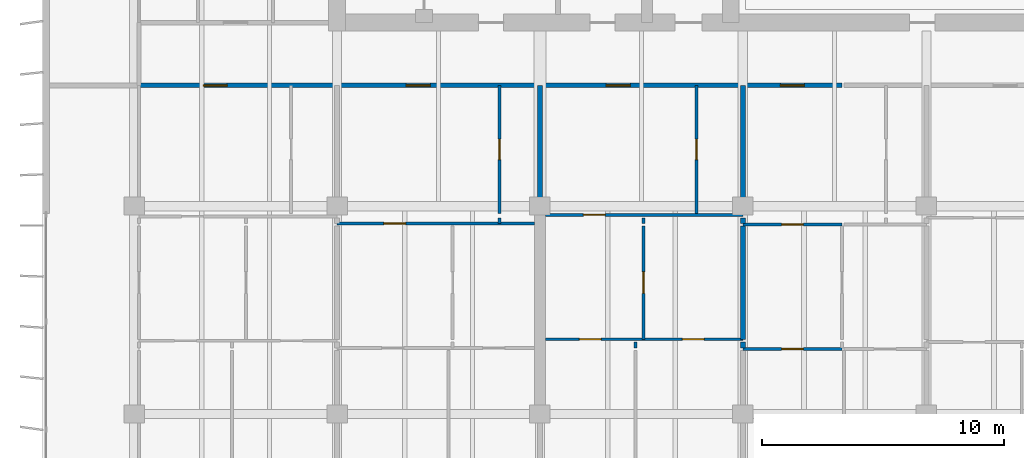
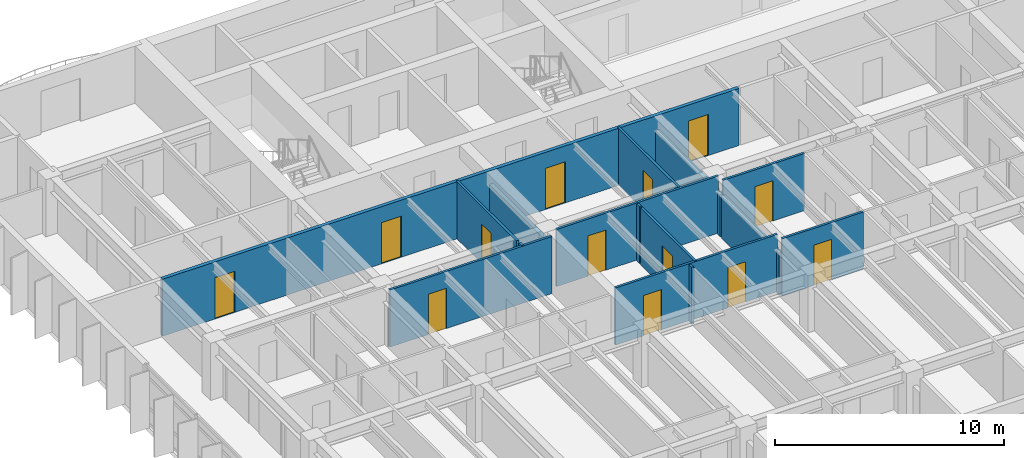
# One storey, part 9 of 19: 17 walls, 13 doors, 13 openings.
"""IFC4 building model written with IfcOpenShell, lengths in metres."""

from ifc_helpers import new_model, si_unit, direction, frame, frame_2d, origin, place, context, subcontext, project, spatial, rectangle, extrude, material, layer, layer_set, type_object, element, fill, save


model = new_model("IFC4")

# Units and contexts
model_context = context("Model", 3, precision=1e-05, world=origin(), true_north=direction((0.0, 1.0)))
body_context = subcontext(model_context, "Body", "Model", "MODEL_VIEW")
ifc_project = project(units=[si_unit("LENGTHUNIT", "METRE"), si_unit("AREAUNIT", "SQUARE_METRE"), si_unit("VOLUMEUNIT", "CUBIC_METRE"), si_unit("PLANEANGLEUNIT", "RADIAN"), si_unit("MASSUNIT", "GRAM", prefix="KILO")], contexts=[model_context])

# Site, building, storey
site_placement = place(None, origin())
site = spatial("IfcSite", under=ifc_project, at=site_placement, CompositionType="ELEMENT")
building_placement = place(site_placement, origin())
building = spatial("IfcBuilding", under=site, at=building_placement, Name="Caelmar Bay Residences", CompositionType="ELEMENT")
storey_placement = place(building_placement, frame((0.0, 0.0, 214.800048828125)))
storey = spatial("IfcBuildingStorey", under=building, at=storey_placement, Name="L60", CompositionType="ELEMENT", Elevation=214.800048828125)

# Wall, openings, doors
ifc_material_1 = material(Name="Double-stud acoustic fire-rated gypsum partition 180 mm")
ifc_layer_1 = layer(ifc_material_1, 0.179931640625)
ifc_layer_set_1 = layer_set([ifc_layer_1], Name="Double-stud acoustic fire-rated gypsum partition 180 mm")
wall_type_1 = type_object("IfcWallType", Name="W-COR-200", PredefinedType="PARTITIONING", material=ifc_layer_set_1)
wall_1_placement = place(storey_placement, frame((10.10498046875, 34.39990234375, 0.0), z_axis=(0.0, 0.0, 1.0), x_axis=(1.0, 0.0, 0.0)))
wall_1 = element("IfcWall", 1, at=wall_1_placement, inside=storey, type_object=wall_type_1, Name="L60 Partition Wall H127", PredefinedType="PARTITIONING", context=body_context, shape_type="SweptSolid", body=[
    extrude(rectangle(XDim=29.09912109375, YDim=0.179931640625, at=frame_2d((14.549560546875, 0.0))), origin(), (0.0, 0.0, 1.0), 3.050048828125),
])
opening_1_placement = place(wall_1_placement, frame((2.6474609375, 0.0, 0.0)))
opening_1 = element("IfcOpeningElement", 2, at=opening_1_placement, cuts=wall_1, Name="Opening D-L60-120", PredefinedType="OPENING", context=body_context, shape_type="SweptSolid", body=[
    extrude(rectangle(XDim=1.0, YDim=2.199951171875, at=frame_2d((0.5, 1.10009765625))), frame((0.0, 0.099853515625, 0.0), z_axis=(0.0, -1.0, 0.0), x_axis=(1.0, 0.0, 0.0)), (0.0, 0.0, 1.0), 0.199951171875),
])
opening_2_placement = place(wall_1_placement, frame((11.055908203125, 0.0, 0.0)))
opening_2 = element("IfcOpeningElement", 3, at=opening_2_placement, cuts=wall_1, Name="Opening D-L60-127", PredefinedType="OPENING", context=body_context, shape_type="SweptSolid", body=[
    extrude(rectangle(XDim=1.0, YDim=2.199951171875, at=frame_2d((0.5, 1.10009765625))), frame((0.0, 0.099853515625, 0.0), z_axis=(0.0, -1.0, 0.0), x_axis=(1.0, 0.0, 0.0)), (0.0, 0.0, 1.0), 0.199951171875),
])
opening_3_placement = place(wall_1_placement, frame((19.333984375, 0.0, 0.0)))
opening_3 = element("IfcOpeningElement", 4, at=opening_3_placement, cuts=wall_1, Name="Opening D-L60-134", PredefinedType="OPENING", context=body_context, shape_type="SweptSolid", body=[
    extrude(rectangle(XDim=1.0, YDim=2.199951171875, at=frame_2d((0.5, 1.10009765625))), frame((0.0, 0.099853515625, 0.0), z_axis=(0.0, -1.0, 0.0), x_axis=(1.0, 0.0, 0.0)), (0.0, 0.0, 1.0), 0.199951171875),
])
opening_4_placement = place(wall_1_placement, frame((26.547119140625, 0.0, 0.0)))
opening_4 = element("IfcOpeningElement", 5, at=opening_4_placement, cuts=wall_1, Name="Opening D-L60-141", PredefinedType="OPENING", context=body_context, shape_type="SweptSolid", body=[
    extrude(rectangle(XDim=1.0, YDim=2.199951171875, at=frame_2d((0.5, 1.10009765625))), frame((0.0, 0.099853515625, 0.0), z_axis=(0.0, -1.0, 0.0), x_axis=(1.0, 0.0, 0.0)), (0.0, 0.0, 1.0), 0.199951171875),
])
ifc_material_2 = material(Name="Fire-rated steel and walnut architectural door assembly", Category="steel")
ifc_layer_2 = layer(ifc_material_2, 0.050048828125)
ifc_layer_set_2 = layer_set([ifc_layer_2], Name="Fire-rated steel and walnut architectural door assembly")
door_type_1 = type_object("IfcDoorType", Name="D-UNIT-1000", OperationType="NOTDEFINED", PredefinedType="DOOR", material=ifc_layer_set_2)
door_1_placement = place(opening_1_placement, origin())
door_1 = element("IfcDoor", 6, at=door_1_placement, inside=storey, type_object=door_type_1, Name="L60 Residence 01 Apartment Hall Door", OperationType="SINGLE_SWING_LEFT", OverallHeight=2.199951171875, OverallWidth=1.0, PredefinedType="DOOR", context=body_context, shape_type="SweptSolid", body=[
    extrude(rectangle(XDim=1.0, YDim=2.199951171875, at=frame_2d((0.5, 1.10009765625))), frame((0.0, 0.02490234375, 0.0), z_axis=(0.0, -1.0, 0.0), x_axis=(1.0, 0.0, 0.0)), (0.0, 0.0, 1.0), 0.050048828125),
])
fill(opening_1, door_1)
door_2_placement = place(opening_2_placement, origin())
door_2 = element("IfcDoor", 7, at=door_2_placement, inside=storey, type_object=door_type_1, Name="L60 Residence 02 Apartment Hall Door", OperationType="SINGLE_SWING_RIGHT", OverallHeight=2.199951171875, OverallWidth=1.0, PredefinedType="DOOR", context=body_context, shape_type="SweptSolid", body=[
    extrude(rectangle(XDim=1.0, YDim=2.199951171875, at=frame_2d((0.5, 1.10009765625))), frame((0.0, 0.02490234375, 0.0), z_axis=(0.0, -1.0, 0.0), x_axis=(1.0, 0.0, 0.0)), (0.0, 0.0, 1.0), 0.050048828125),
])
fill(opening_2, door_2)
door_3_placement = place(opening_3_placement, origin())
door_3 = element("IfcDoor", 8, at=door_3_placement, inside=storey, type_object=door_type_1, Name="L60 Residence 03 Apartment Hall Door", OperationType="SINGLE_SWING_LEFT", OverallHeight=2.199951171875, OverallWidth=1.0, PredefinedType="DOOR", context=body_context, shape_type="SweptSolid", body=[
    extrude(rectangle(XDim=1.0, YDim=2.199951171875, at=frame_2d((0.5, 1.10009765625))), frame((0.0, 0.02490234375, 0.0), z_axis=(0.0, -1.0, 0.0), x_axis=(1.0, 0.0, 0.0)), (0.0, 0.0, 1.0), 0.050048828125),
])
fill(opening_3, door_3)
door_4_placement = place(opening_4_placement, origin())
door_4 = element("IfcDoor", 9, at=door_4_placement, inside=storey, type_object=door_type_1, Name="L60 Residence 04 Apartment Hall Door", OperationType="SINGLE_SWING_RIGHT", OverallHeight=2.199951171875, OverallWidth=1.0, PredefinedType="DOOR", context=body_context, shape_type="SweptSolid", body=[
    extrude(rectangle(XDim=1.0, YDim=2.199951171875, at=frame_2d((0.5, 1.10009765625))), frame((0.0, 0.02490234375, 0.0), z_axis=(0.0, -1.0, 0.0), x_axis=(1.0, 0.0, 0.0)), (0.0, 0.0, 1.0), 0.050048828125),
])
fill(opening_4, door_4)

# Wall
ifc_material_3 = material(Name="Acoustic metal-stud gypsum partition 120 mm")
ifc_layer_3 = layer(ifc_material_3, 0.1201171875)
ifc_layer_set_3 = layer_set([ifc_layer_3], Name="Acoustic metal-stud gypsum partition 120 mm")
wall_type_2 = type_object("IfcWallType", Name="W-PRT-120", PredefinedType="PARTITIONING", material=ifc_layer_set_3)
wall_2_placement = place(storey_placement, frame((25.02197265625, 28.679931640625, 0.0), z_axis=(0.0, 0.0, 1.0), x_axis=(0.0, 1.0, 0.0)))
element("IfcWall", 10, at=wall_2_placement, inside=storey, type_object=wall_type_2, Name="L60 Partition Wall V028", PredefinedType="PARTITIONING", context=body_context, shape_type="SweptSolid", body=[
    extrude(rectangle(XDim=0.239990234375, YDim=0.1201171875, at=frame_2d((0.1201171875, 0.0))), origin(), (0.0, 0.0, 1.0), 3.050048828125),
])

# Wall, opening, door
wall_3_placement = place(storey_placement, frame((25.02197265625, 29.10009765625, 0.0), z_axis=(0.0, 0.0, 1.0), x_axis=(0.0, 1.0, 0.0)))
wall_3 = element("IfcWall", 11, at=wall_3_placement, inside=storey, type_object=wall_type_2, Name="L60 Partition Wall V029", PredefinedType="PARTITIONING", context=body_context, shape_type="SweptSolid", body=[
    extrude(rectangle(XDim=5.2998046875, YDim=0.1201171875, at=frame_2d((2.64990234375, 0.0))), origin(), (0.0, 0.0, 1.0), 3.050048828125),
])
opening_5_placement = place(wall_3_placement, frame((2.22509765625, 0.0, 0.0)))
opening_5 = element("IfcOpeningElement", 12, at=opening_5_placement, cuts=wall_3, Name="Opening D-L60-128", PredefinedType="OPENING", context=body_context, shape_type="SweptSolid", body=[
    extrude(rectangle(XDim=0.85009765625, YDim=2.10009765625, at=frame_2d((0.425048828125, 1.050048828125))), frame((0.0, 0.070068359375, 0.0), z_axis=(0.0, -1.0, 0.0), x_axis=(1.0, 0.0, 0.0)), (0.0, 0.0, 1.0), 0.14013671875),
])
ifc_material_4 = material(Name="Solid walnut timber interior door leaf and frame", Category="wood")
ifc_layer_4 = layer(ifc_material_4, 0.050048828125)
ifc_layer_set_4 = layer_set([ifc_layer_4], Name="Solid walnut timber interior door leaf and frame")
door_type_2 = type_object("IfcDoorType", Name="D-BATH-850", OperationType="NOTDEFINED", PredefinedType="DOOR", material=ifc_layer_set_4)
door_5_placement = place(opening_5_placement, origin())
door_5 = element("IfcDoor", 13, at=door_5_placement, inside=storey, type_object=door_type_2, Name="L60 Residence 02 Bathroom Door", OperationType="SINGLE_SWING_LEFT", OverallHeight=2.10009765625, OverallWidth=0.85009765625, PredefinedType="DOOR", context=body_context, shape_type="SweptSolid", body=[
    extrude(rectangle(XDim=0.85009765625, YDim=2.10009765625, at=frame_2d((0.425048828125, 1.050048828125))), frame((0.0, 0.02490234375, 0.0), z_axis=(0.0, -1.0, 0.0), x_axis=(1.0, 0.0, 0.0)), (0.0, 0.0, 1.0), 0.050048828125),
])
fill(opening_5, door_5)

# Wall
wall_4_placement = place(storey_placement, frame((30.64794921875, 23.530029296875, 0.0), z_axis=(0.0, 0.0, 1.0), x_axis=(0.0, 1.0, 0.0)))
element("IfcWall", 14, at=wall_4_placement, inside=storey, type_object=wall_type_2, Name="L60 Partition Wall V038", PredefinedType="PARTITIONING", context=body_context, shape_type="SweptSolid", body=[
    extrude(rectangle(XDim=0.239990234375, YDim=0.1201171875, at=frame_2d((0.1201171875, 0.0))), origin(), (0.0, 0.0, 1.0), 3.050048828125),
])

# Wall, opening, door
wall_5_placement = place(storey_placement, frame((30.986083984375, 23.889892578125, 0.0), z_axis=(0.0, 0.0, 1.0), x_axis=(0.0, 1.0, 0.0)))
wall_5 = element("IfcWall", 15, at=wall_5_placement, inside=storey, type_object=wall_type_2, Name="L60 Partition Wall V039", PredefinedType="PARTITIONING", context=body_context, shape_type="SweptSolid", body=[
    extrude(rectangle(XDim=4.690185546875, YDim=0.1201171875, at=frame_2d((2.34521484375, 0.0))), origin(), (0.0, 0.0, 1.0), 3.050048828125),
])
opening_6_placement = place(wall_5_placement, frame((1.89501953125, 0.0, 0.0)))
opening_6 = element("IfcOpeningElement", 16, at=opening_6_placement, cuts=wall_5, Name="Opening D-L60-137", PredefinedType="OPENING", context=body_context, shape_type="SweptSolid", body=[
    extrude(rectangle(XDim=0.89990234375, YDim=2.14990234375, at=frame_2d((0.449951171875, 1.074951171875))), frame((0.0, 0.070068359375, 0.0), z_axis=(0.0, -1.0, 0.0), x_axis=(1.0, 0.0, 0.0)), (0.0, 0.0, 1.0), 0.14013671875),
])
ifc_layer_5 = layer(ifc_material_4, 0.050048828125)
ifc_layer_set_5 = layer_set([ifc_layer_5], Name="Solid walnut timber interior door leaf and frame")
door_type_3 = type_object("IfcDoorType", Name="D-ROOM-900", OperationType="NOTDEFINED", PredefinedType="DOOR", material=ifc_layer_set_5)
door_6_placement = place(opening_6_placement, origin())
door_6 = element("IfcDoor", 17, at=door_6_placement, inside=storey, type_object=door_type_3, Name="L60 Residence 03 Curator Office Door", OperationType="SINGLE_SWING_RIGHT", OverallHeight=2.14990234375, OverallWidth=0.89990234375, PredefinedType="DOOR", context=body_context, shape_type="SweptSolid", body=[
    extrude(rectangle(XDim=0.89990234375, YDim=2.14990234375, at=frame_2d((0.449951171875, 1.074951171875))), frame((0.0, 0.02490234375, 0.0), z_axis=(0.0, -1.0, 0.0), x_axis=(1.0, 0.0, 0.0)), (0.0, 0.0, 1.0), 0.050048828125),
])
fill(opening_6, door_6)

# Wall
wall_6_placement = place(storey_placement, frame((30.986083984375, 28.679931640625, 0.0), z_axis=(0.0, 0.0, 1.0), x_axis=(0.0, 1.0, 0.0)))
element("IfcWall", 18, at=wall_6_placement, inside=storey, type_object=wall_type_2, Name="L60 Partition Wall V040", PredefinedType="PARTITIONING", context=body_context, shape_type="SweptSolid", body=[
    extrude(rectangle(XDim=0.239990234375, YDim=0.1201171875, at=frame_2d((0.1201171875, 0.0))), origin(), (0.0, 0.0, 1.0), 3.050048828125),
])

# Wall, opening, door
wall_7_placement = place(storey_placement, frame((33.177978515625, 29.10009765625, 0.0), z_axis=(0.0, 0.0, 1.0), x_axis=(0.0, 1.0, 0.0)))
wall_7 = element("IfcWall", 19, at=wall_7_placement, inside=storey, type_object=wall_type_2, Name="L60 Partition Wall V041", PredefinedType="PARTITIONING", context=body_context, shape_type="SweptSolid", body=[
    extrude(rectangle(XDim=5.2998046875, YDim=0.1201171875, at=frame_2d((2.64990234375, 0.0))), origin(), (0.0, 0.0, 1.0), 3.050048828125),
])
opening_7_placement = place(wall_7_placement, frame((2.22509765625, 0.0, 0.0)))
opening_7 = element("IfcOpeningElement", 20, at=opening_7_placement, cuts=wall_7, Name="Opening D-L60-135", PredefinedType="OPENING", context=body_context, shape_type="SweptSolid", body=[
    extrude(rectangle(XDim=0.85009765625, YDim=2.10009765625, at=frame_2d((0.425048828125, 1.050048828125))), frame((0.0, 0.070068359375, 0.0), z_axis=(0.0, -1.0, 0.0), x_axis=(1.0, 0.0, 0.0)), (0.0, 0.0, 1.0), 0.14013671875),
])
door_7_placement = place(opening_7_placement, origin())
door_7 = element("IfcDoor", 21, at=door_7_placement, inside=storey, type_object=door_type_2, Name="L60 Residence 03 Bathroom Door", OperationType="SINGLE_SWING_RIGHT", OverallHeight=2.10009765625, OverallWidth=0.85009765625, PredefinedType="DOOR", context=body_context, shape_type="SweptSolid", body=[
    extrude(rectangle(XDim=0.85009765625, YDim=2.10009765625, at=frame_2d((0.425048828125, 1.050048828125))), frame((0.0, 0.02490234375, 0.0), z_axis=(0.0, -1.0, 0.0), x_axis=(1.0, 0.0, 0.0)), (0.0, 0.0, 1.0), 0.050048828125),
])
fill(opening_7, door_7)

wall_8_placement = place(storey_placement, frame((35.10009765625, 23.489990234375, 0.0), z_axis=(0.0, 0.0, 1.0), x_axis=(1.0, 0.0, 0.0)))
wall_8 = element("IfcWall", 22, at=wall_8_placement, inside=storey, type_object=wall_type_2, Name="L60 Partition Wall H111", PredefinedType="PARTITIONING", context=body_context, shape_type="SweptSolid", body=[
    extrude(rectangle(XDim=4.10400390625, YDim=0.1201171875, at=frame_2d((2.052001953125, 0.0))), origin(), (0.0, 0.0, 1.0), 3.050048828125),
])
opening_8_placement = place(wall_8_placement, frame((1.60205078125, 0.0, 0.0)))
opening_8 = element("IfcOpeningElement", 23, at=opening_8_placement, cuts=wall_8, Name="Opening D-L60-145", PredefinedType="OPENING", context=body_context, shape_type="SweptSolid", body=[
    extrude(rectangle(XDim=0.89990234375, YDim=2.14990234375, at=frame_2d((0.449951171875, 1.074951171875))), frame((0.0, 0.070068359375, 0.0), z_axis=(0.0, -1.0, 0.0), x_axis=(1.0, 0.0, 0.0)), (0.0, 0.0, 1.0), 0.14013671875),
])
door_8_placement = place(opening_8_placement, origin())
door_8 = element("IfcDoor", 24, at=door_8_placement, inside=storey, type_object=door_type_3, Name="L60 Residence 04 Living Room Door", OperationType="SINGLE_SWING_RIGHT", OverallHeight=2.14990234375, OverallWidth=0.89990234375, PredefinedType="DOOR", context=body_context, shape_type="SweptSolid", body=[
    extrude(rectangle(XDim=0.89990234375, YDim=2.14990234375, at=frame_2d((0.449951171875, 1.074951171875))), frame((0.0, 0.02490234375, 0.0), z_axis=(0.0, -1.0, 0.0), x_axis=(1.0, 0.0, 0.0)), (0.0, 0.0, 1.0), 0.050048828125),
])
fill(opening_8, door_8)

# Wall, openings, doors
wall_9_placement = place(storey_placement, frame((26.919921875, 23.889892578125, 0.0), z_axis=(0.0, 0.0, 1.0), x_axis=(1.0, 0.0, 0.0)))
wall_9 = element("IfcWall", 25, at=wall_9_placement, inside=storey, type_object=wall_type_2, Name="L60 Partition Wall H117", PredefinedType="PARTITIONING", context=body_context, shape_type="SweptSolid", body=[
    extrude(rectangle(XDim=8.18017578125, YDim=0.1201171875, at=frame_2d((4.090087890625, 0.0))), origin(), (0.0, 0.0, 1.0), 3.050048828125),
])
opening_9_placement = place(wall_9_placement, frame((1.4140625, 0.0, 0.0)))
opening_9 = element("IfcOpeningElement", 26, at=opening_9_placement, cuts=wall_9, Name="Opening D-L60-138", PredefinedType="OPENING", context=body_context, shape_type="SweptSolid", body=[
    extrude(rectangle(XDim=0.89990234375, YDim=2.14990234375, at=frame_2d((0.449951171875, 1.074951171875))), frame((0.0, 0.070068359375, 0.0), z_axis=(0.0, -1.0, 0.0), x_axis=(1.0, 0.0, 0.0)), (0.0, 0.0, 1.0), 0.14013671875),
])
opening_10_placement = place(wall_9_placement, frame((5.673095703125, 0.0, 0.0)))
opening_10 = element("IfcOpeningElement", 27, at=opening_10_placement, cuts=wall_9, Name="Opening D-L60-139", PredefinedType="OPENING", context=body_context, shape_type="SweptSolid", body=[
    extrude(rectangle(XDim=0.89990234375, YDim=2.14990234375, at=frame_2d((0.449951171875, 1.074951171875))), frame((0.0, 0.070068359375, 0.0), z_axis=(0.0, -1.0, 0.0), x_axis=(1.0, 0.0, 0.0)), (0.0, 0.0, 1.0), 0.14013671875),
])
door_9_placement = place(opening_9_placement, origin())
door_9 = element("IfcDoor", 28, at=door_9_placement, inside=storey, type_object=door_type_3, Name="L60 Residence 03 Living Room Door", OperationType="SINGLE_SWING_LEFT", OverallHeight=2.14990234375, OverallWidth=0.89990234375, PredefinedType="DOOR", context=body_context, shape_type="SweptSolid", body=[
    extrude(rectangle(XDim=0.89990234375, YDim=2.14990234375, at=frame_2d((0.449951171875, 1.074951171875))), frame((0.0, 0.02490234375, 0.0), z_axis=(0.0, -1.0, 0.0), x_axis=(1.0, 0.0, 0.0)), (0.0, 0.0, 1.0), 0.050048828125),
])
fill(opening_9, door_9)
door_10_placement = place(opening_10_placement, origin())
door_10 = element("IfcDoor", 29, at=door_10_placement, inside=storey, type_object=door_type_3, Name="L60 Residence 03 Penthouse Sitting Room Door", OperationType="SINGLE_SWING_RIGHT", OverallHeight=2.14990234375, OverallWidth=0.89990234375, PredefinedType="DOOR", context=body_context, shape_type="SweptSolid", body=[
    extrude(rectangle(XDim=0.89990234375, YDim=2.14990234375, at=frame_2d((0.449951171875, 1.074951171875))), frame((0.0, 0.02490234375, 0.0), z_axis=(0.0, -1.0, 0.0), x_axis=(1.0, 0.0, 0.0)), (0.0, 0.0, 1.0), 0.050048828125),
])
fill(opening_10, door_10)

# Wall, opening, door
wall_10_placement = place(storey_placement, frame((35.10009765625, 28.639892578125, 0.0), z_axis=(0.0, 0.0, 1.0), x_axis=(1.0, 0.0, 0.0)))
wall_10 = element("IfcWall", 30, at=wall_10_placement, inside=storey, type_object=wall_type_2, Name="L60 Partition Wall H119", PredefinedType="PARTITIONING", context=body_context, shape_type="SweptSolid", body=[
    extrude(rectangle(XDim=4.10400390625, YDim=0.1201171875, at=frame_2d((2.052001953125, 0.0))), origin(), (0.0, 0.0, 1.0), 3.050048828125),
])
opening_11_placement = place(wall_10_placement, frame((1.60205078125, 0.0, 0.0)))
opening_11 = element("IfcOpeningElement", 31, at=opening_11_placement, cuts=wall_10, Name="Opening D-L60-143", PredefinedType="OPENING", context=body_context, shape_type="SweptSolid", body=[
    extrude(rectangle(XDim=0.89990234375, YDim=2.14990234375, at=frame_2d((0.449951171875, 1.074951171875))), frame((0.0, 0.070068359375, 0.0), z_axis=(0.0, -1.0, 0.0), x_axis=(1.0, 0.0, 0.0)), (0.0, 0.0, 1.0), 0.14013671875),
])
door_11_placement = place(opening_11_placement, origin())
door_11 = element("IfcDoor", 32, at=door_11_placement, inside=storey, type_object=door_type_3, Name="L60 Residence 04 Kitchen Door", OperationType="SINGLE_SWING_RIGHT", OverallHeight=2.14990234375, OverallWidth=0.89990234375, PredefinedType="DOOR", context=body_context, shape_type="SweptSolid", body=[
    extrude(rectangle(XDim=0.89990234375, YDim=2.14990234375, at=frame_2d((0.449951171875, 1.074951171875))), frame((0.0, 0.02490234375, 0.0), z_axis=(0.0, -1.0, 0.0), x_axis=(1.0, 0.0, 0.0)), (0.0, 0.0, 1.0), 0.050048828125),
])
fill(opening_11, door_11)

wall_11_placement = place(storey_placement, frame((18.300048828125, 28.679931640625, 0.0), z_axis=(0.0, 0.0, 1.0), x_axis=(1.0, 0.0, 0.0)))
wall_11 = element("IfcWall", 33, at=wall_11_placement, inside=storey, type_object=wall_type_2, Name="L60 Partition Wall H121", PredefinedType="PARTITIONING", context=body_context, shape_type="SweptSolid", body=[
    extrude(rectangle(XDim=8.179931640625, YDim=0.1201171875, at=frame_2d((4.08984375, 0.0))), origin(), (0.0, 0.0, 1.0), 3.050048828125),
])
opening_12_placement = place(wall_11_placement, frame((1.943115234375, 0.0, 0.0)))
opening_12 = element("IfcOpeningElement", 34, at=opening_12_placement, cuts=wall_11, Name="Opening D-L60-129", PredefinedType="OPENING", context=body_context, shape_type="SweptSolid", body=[
    extrude(rectangle(XDim=0.89990234375, YDim=2.14990234375, at=frame_2d((0.449951171875, 1.074951171875))), frame((0.0, 0.070068359375, 0.0), z_axis=(0.0, -1.0, 0.0), x_axis=(1.0, 0.0, 0.0)), (0.0, 0.0, 1.0), 0.14013671875),
])
door_12_placement = place(opening_12_placement, origin())
door_12 = element("IfcDoor", 35, at=door_12_placement, inside=storey, type_object=door_type_3, Name="L60 Residence 02 Kitchen Door", OperationType="SINGLE_SWING_RIGHT", OverallHeight=2.14990234375, OverallWidth=0.89990234375, PredefinedType="DOOR", context=body_context, shape_type="SweptSolid", body=[
    extrude(rectangle(XDim=0.89990234375, YDim=2.14990234375, at=frame_2d((0.449951171875, 1.074951171875))), frame((0.0, 0.02490234375, 0.0), z_axis=(0.0, -1.0, 0.0), x_axis=(1.0, 0.0, 0.0)), (0.0, 0.0, 1.0), 0.050048828125),
])
fill(opening_12, door_12)

wall_12_placement = place(storey_placement, frame((26.919921875, 29.0400390625, 0.0), z_axis=(0.0, 0.0, 1.0), x_axis=(1.0, 0.0, 0.0)))
wall_12 = element("IfcWall", 36, at=wall_12_placement, inside=storey, type_object=wall_type_2, Name="L60 Partition Wall H125", PredefinedType="PARTITIONING", context=body_context, shape_type="SweptSolid", body=[
    extrude(rectangle(XDim=8.18017578125, YDim=0.1201171875, at=frame_2d((4.090087890625, 0.0))), origin(), (0.0, 0.0, 1.0), 3.050048828125),
])
opening_13_placement = place(wall_12_placement, frame((1.5830078125, 0.0, 0.0)))
opening_13 = element("IfcOpeningElement", 37, at=opening_13_placement, cuts=wall_12, Name="Opening D-L60-136", PredefinedType="OPENING", context=body_context, shape_type="SweptSolid", body=[
    extrude(rectangle(XDim=0.89990234375, YDim=2.14990234375, at=frame_2d((0.449951171875, 1.074951171875))), frame((0.0, 0.070068359375, 0.0), z_axis=(0.0, -1.0, 0.0), x_axis=(1.0, 0.0, 0.0)), (0.0, 0.0, 1.0), 0.14013671875),
])
door_13_placement = place(opening_13_placement, origin())
door_13 = element("IfcDoor", 38, at=door_13_placement, inside=storey, type_object=door_type_3, Name="L60 Residence 03 Kitchen Door", OperationType="SINGLE_SWING_LEFT", OverallHeight=2.14990234375, OverallWidth=0.89990234375, PredefinedType="DOOR", context=body_context, shape_type="SweptSolid", body=[
    extrude(rectangle(XDim=0.89990234375, YDim=2.14990234375, at=frame_2d((0.449951171875, 1.074951171875))), frame((0.0, 0.02490234375, 0.0), z_axis=(0.0, -1.0, 0.0), x_axis=(1.0, 0.0, 0.0)), (0.0, 0.0, 1.0), 0.050048828125),
])
fill(opening_13, door_13)

# Walls
ifc_material_5 = material(Name="Acoustic twin-stud fire-rated inter-tenancy partition 200 mm")
ifc_layer_6 = layer(ifc_material_5, 0.199951171875)
ifc_layer_set_6 = layer_set([ifc_layer_6], Name="Acoustic twin-stud fire-rated inter-tenancy partition 200 mm")
wall_type_3 = type_object("IfcWallType", Name="W-PTY-200", PredefinedType="PARTITIONING", material=ifc_layer_set_6)
wall_13_placement = place(storey_placement, frame((26.699951171875, 29.405029296875, 0.0), z_axis=(0.0, 0.0, 1.0), x_axis=(0.0, 1.0, 0.0)))
element("IfcWall", 39, at=wall_13_placement, inside=storey, type_object=wall_type_3, Name="L60 Partition Wall V033", PredefinedType="PARTITIONING", context=body_context, shape_type="SweptSolid", body=[
    extrude(rectangle(XDim=4.994873046875, YDim=0.199951171875, at=frame_2d((2.49755859375, 0.0))), origin(), (0.0, 0.0, 1.0), 2.3349609375),
])
wall_14_placement = place(storey_placement, frame((35.10009765625, 23.530029296875, 0.0), z_axis=(0.0, 0.0, 1.0), x_axis=(0.0, 1.0, 0.0)))
element("IfcWall", 40, at=wall_14_placement, inside=storey, type_object=wall_type_3, Name="L60 Partition Wall V044", PredefinedType="PARTITIONING", context=body_context, shape_type="SweptSolid", body=[
    extrude(rectangle(XDim=0.239990234375, YDim=0.199951171875, at=frame_2d((0.1201171875, 0.0))), origin(), (0.0, 0.0, 1.0), 2.262939453125),
])
wall_15_placement = place(storey_placement, frame((35.10009765625, 23.889892578125, 0.0), z_axis=(0.0, 0.0, 1.0), x_axis=(0.0, 1.0, 0.0)))
element("IfcWall", 41, at=wall_15_placement, inside=storey, type_object=wall_type_3, Name="L60 Partition Wall V045", PredefinedType="PARTITIONING", context=body_context, shape_type="SweptSolid", body=[
    extrude(rectangle(XDim=4.690185546875, YDim=0.199951171875, at=frame_2d((2.34521484375, 0.0))), origin(), (0.0, 0.0, 1.0), 2.262939453125),
])
wall_16_placement = place(storey_placement, frame((35.10009765625, 28.679931640625, 0.0), z_axis=(0.0, 0.0, 1.0), x_axis=(0.0, 1.0, 0.0)))
element("IfcWall", 42, at=wall_16_placement, inside=storey, type_object=wall_type_3, Name="L60 Partition Wall V046", PredefinedType="PARTITIONING", context=body_context, shape_type="SweptSolid", body=[
    extrude(rectangle(XDim=0.239990234375, YDim=0.199951171875, at=frame_2d((0.1201171875, 0.0))), origin(), (0.0, 0.0, 1.0), 2.262939453125),
])
wall_17_placement = place(storey_placement, frame((35.10009765625, 29.10009765625, 0.0), z_axis=(0.0, 0.0, 1.0), x_axis=(0.0, 1.0, 0.0)))
element("IfcWall", 43, at=wall_17_placement, inside=storey, type_object=wall_type_3, Name="L60 Partition Wall V047", PredefinedType="PARTITIONING", context=body_context, shape_type="SweptSolid", body=[
    extrude(rectangle(XDim=5.2998046875, YDim=0.199951171875, at=frame_2d((2.64990234375, 0.0))), origin(), (0.0, 0.0, 1.0), 2.262939453125),
])

save(model, "model.ifc")
